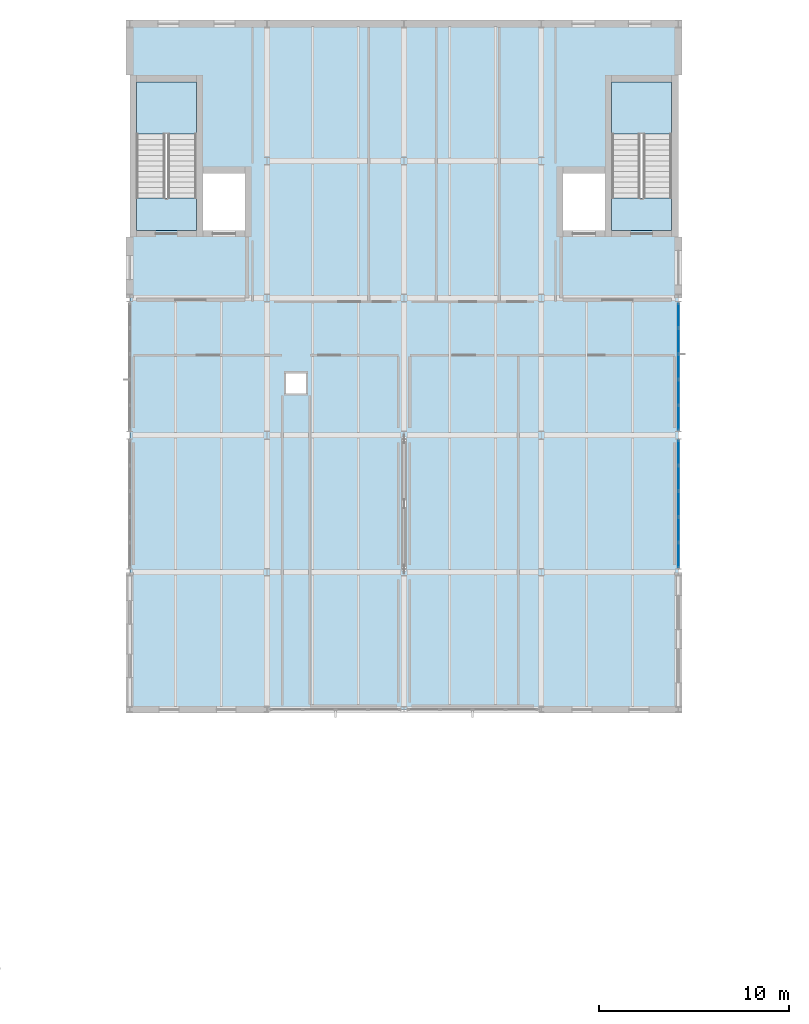
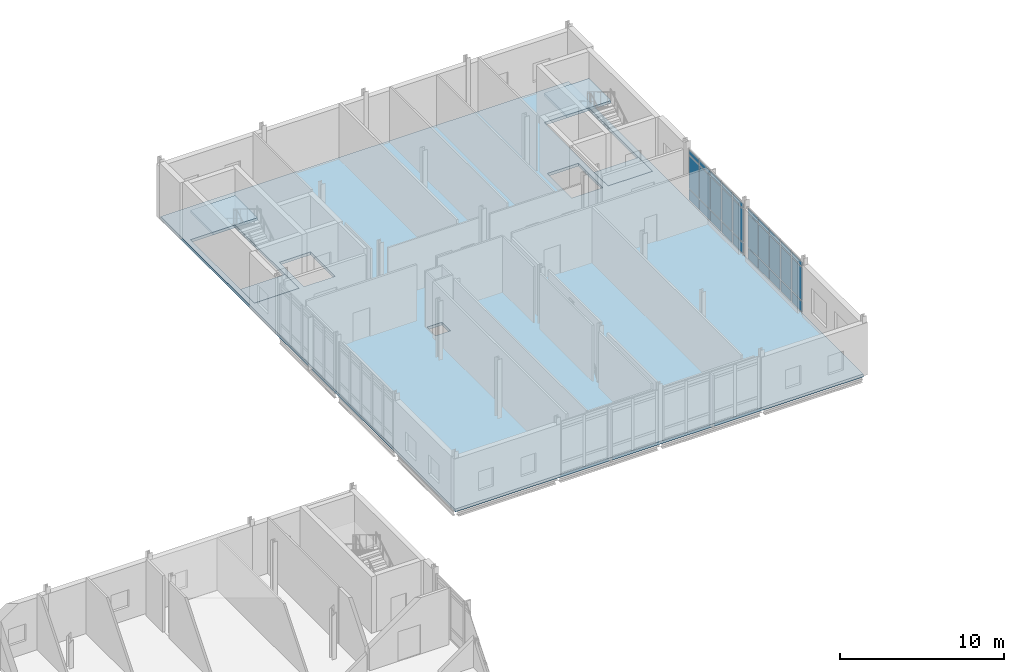
# One storey, part 40 of 72: 30 plates, 5 slabs, 4 elements without a shape of their own.
"""IFC4 building model written with IfcOpenShell, lengths in metres."""

import ifcopenshell
import ifcopenshell.guid

model = None  # the IFC model being written
_history = None  # IfcOwnerHistory: only IFC2X3 demands one
_inside = {}  # id of a spatial element -> (the spatial element, [elements in it])
_under = {}  # id of a project, library or spatial element -> (it, [spatial elements below it])
_declared = {}  # id of a project -> (the project, [libraries it declares])
_typed = {}  # id of a type object -> (the type object, [elements of that type])
_made_of = {}  # id of a material, layer set ... -> (it, [elements and type objects made of it])


def new_model(schema):
    """Start an empty IFC model of exactly this schema.

    Asked for "IFC4X3", IfcOpenShell would pick the latest addendum, in which some entities
    have other attributes; the version numbers below select the first issue.
    IFC2X3 requires an IfcOwnerHistory on every rooted entity: one is made here for all.
    """
    global model, _history
    if schema == "IFC4X3":
        model = ifcopenshell.file(schema_version=(4, 3, 0, 0))
    else:
        model = ifcopenshell.file(schema=schema)
    _inside.clear()
    _under.clear()
    _declared.clear()
    _typed.clear()
    _made_of.clear()
    _history = None
    if model.schema == "IFC2X3":
        org = make("IfcOrganization", Name="unknown")
        user = make(
            "IfcPersonAndOrganization",
            ThePerson=make("IfcPerson", FamilyName="unknown"),
            TheOrganization=org,
        )
        app = make(
            "IfcApplication",
            ApplicationDeveloper=org,
            Version="unknown",
            ApplicationFullName="unknown",
            ApplicationIdentifier="unknown",
        )
        _history = make(
            "IfcOwnerHistory",
            OwningUser=user,
            OwningApplication=app,
            ChangeAction="ADDED",
            CreationDate=0,
        )
    return model


def make(cls, **values):
    """One entity of the class cls with the attributes given. An attribute that is None is left unset."""
    return model.create_entity(
        cls, **{name: value for name, value in values.items() if value is not None}
    )


def rooted(cls, **values):
    """An entity with a GlobalId (a new one), such as an element, a storey or a relation."""
    return make(cls, GlobalId=ifcopenshell.guid.new(), OwnerHistory=_history, **values)


def si_unit(unit_type, name, prefix=None):
    """IfcSIUnit, for example si_unit("LENGTHUNIT", "METRE", prefix="MILLI")."""
    return make("IfcSIUnit", UnitType=unit_type, Prefix=prefix, Name=name)


def assignment(units):
    """IfcUnitAssignment: the units of a project."""
    return None if units is None else make("IfcUnitAssignment", Units=units)


def point(xyz):
    """IfcCartesianPoint."""
    return None if xyz is None else make("IfcCartesianPoint", Coordinates=xyz)


def direction(xyz):
    """IfcDirection."""
    return None if xyz is None else make("IfcDirection", DirectionRatios=xyz)


def frame(location, z_axis=None, x_axis=None):
    """IfcAxis2Placement3D, a coordinate frame: its origin and axes. An axis left out is left unset."""
    return make(
        "IfcAxis2Placement3D",
        Location=point(location),
        Axis=direction(z_axis),
        RefDirection=direction(x_axis),
    )


def frame_2d(location, x_axis=None):
    """IfcAxis2Placement2D, a coordinate frame in the plane: its origin and x axis."""
    return make(
        "IfcAxis2Placement2D", Location=point(location), RefDirection=direction(x_axis)
    )


def origin():
    """The frame at (0, 0, 0) with its axes left unset."""
    return frame((0.0, 0.0, 0.0))


def origin_2d():
    """The frame at (0, 0) in the plane with its x axis left unset."""
    return frame_2d((0.0, 0.0))


def place(relative_to, where):
    """IfcLocalPlacement: puts the frame where relative to a parent placement (None: the world)."""
    return make(
        "IfcLocalPlacement", PlacementRelTo=relative_to, RelativePlacement=where
    )


def context(
    kind, dimensions, precision=None, world=None, true_north=None, identifier=None
):
    """IfcGeometricRepresentationContext, for example the 3D "Model" context."""
    return make(
        "IfcGeometricRepresentationContext",
        ContextIdentifier=identifier,
        ContextType=kind,
        CoordinateSpaceDimension=dimensions,
        Precision=precision,
        WorldCoordinateSystem=world,
        TrueNorth=true_north,
    )


def subcontext(parent, identifier, kind, view, scale=None):
    """IfcGeometricRepresentationSubContext, for example "Body" below "Model"."""
    return make(
        "IfcGeometricRepresentationSubContext",
        ContextIdentifier=identifier,
        ContextType=kind,
        ParentContext=parent,
        TargetScale=scale,
        TargetView=view,
    )


def project(units=None, contexts=None):
    """IfcProject with its units and contexts."""
    return rooted(
        "IfcProject",
        Name="project",
        RepresentationContexts=contexts,
        UnitsInContext=assignment(units),
    )


def spatial(cls, under=None, at=None, **own):
    """A site, building, storey or space (cls), placed at a placement, below another one or the project."""
    s = rooted(cls, ObjectPlacement=at, **own)
    if under is not None:
        _under.setdefault(under.id(), (under, []))[1].append(s)
    return s


def polyline(points):
    """IfcPolyline through the points."""
    return make("IfcPolyline", Points=[point(p) for p in points])


def profile(cls, at=None, kind="AREA", **sizes):
    """A parametric profile (cls). Its sizes go by their IFC names, for example OverallWidth=200.0."""
    return make(cls, ProfileType=kind, Position=at, **sizes)


def rectangle(**sizes):
    """IfcRectangleProfileDef."""
    return profile("IfcRectangleProfileDef", **sizes)


def outline(outer, holes=None, kind="AREA"):
    """IfcArbitraryClosedProfileDef: a profile drawn as a closed curve; with holes, ...WithVoids."""
    if holes is None:
        return make("IfcArbitraryClosedProfileDef", ProfileType=kind, OuterCurve=outer)
    return make(
        "IfcArbitraryProfileDefWithVoids",
        ProfileType=kind,
        OuterCurve=outer,
        InnerCurves=holes,
    )


def extrude(swept, where, along, depth):
    """IfcExtrudedAreaSolid: the profile swept, set in the frame where, extruded along a direction by depth."""
    return make(
        "IfcExtrudedAreaSolid",
        SweptArea=swept,
        Position=where,
        ExtrudedDirection=direction(along),
        Depth=depth,
    )


def shape(context_of_items, identifier, shape_type, items):
    """IfcShapeRepresentation: the items that make up one representation, for example the "Body"."""
    return make(
        "IfcShapeRepresentation",
        ContextOfItems=context_of_items,
        RepresentationIdentifier=identifier,
        RepresentationType=shape_type,
        Items=items,
    )


def material(Name=None, Category=None):
    """IfcMaterial."""
    return make("IfcMaterial", Name=Name, Category=Category)


def layer(
    of_material, thickness, ventilated=None, Name=None, Category=None, Priority=None
):
    """IfcMaterialLayer: one layer of a wall or slab, of a material (None: an air gap)."""
    return make(
        "IfcMaterialLayer",
        Material=of_material,
        LayerThickness=thickness,
        IsVentilated=ventilated,
        Name=Name,
        Category=Category,
        Priority=Priority,
    )


def layer_set(layers, Name=None):
    """IfcMaterialLayerSet."""
    return make("IfcMaterialLayerSet", MaterialLayers=layers, LayerSetName=Name)


def made_of(thing, what):
    """Note that an element or type object is made of a material, layer set ...; save() writes the relation."""
    if what is not None:
        _made_of.setdefault(what.id(), (what, []))[1].append(thing)
    return thing


def type_object(cls, material=None, **own):
    """A type object (cls), such as IfcWallType, which elements share."""
    return made_of(rooted(cls, **own), material)


def element(
    cls,
    number,
    at=None,
    inside=None,
    cuts=None,
    type_object=None,
    material=None,
    context=None,
    identifier="Body",
    shape_type=None,
    held_by="IfcProductDefinitionShape",
    body=None,
    shapes=None,
    **own,
):
    """One element of the class cls, such as IfcWall. Its Tag is "e" and its number.

    at: its placement. inside: the storey or other place that contains it. cuts: it is an
    opening in that element (IfcRelVoidsElement). A single representation is given by context,
    identifier, shape_type and body (its items); several are given by shapes. held_by: the class
    of the entity that holds the representations. save() writes the other relations.
    """
    e = rooted(cls, Tag="e%d" % number, ObjectPlacement=at, **own)
    if body is not None:
        shapes = [shape(context, identifier, shape_type, body)]
    if shapes is not None:
        e.Representation = make(held_by, Representations=shapes)
    if inside is not None:
        _inside.setdefault(inside.id(), (inside, []))[1].append(e)
    if cuts is not None:
        rooted(
            "IfcRelVoidsElement", RelatingBuildingElement=cuts, RelatedOpeningElement=e
        )
    if type_object is not None:
        _typed.setdefault(type_object.id(), (type_object, []))[1].append(e)
    return made_of(e, material)


def aggregate(whole, parts):
    """IfcRelAggregates: a whole, such as a stair, and the parts it consists of."""
    return rooted("IfcRelAggregates", RelatingObject=whole, RelatedObjects=parts)


def save(model, path):
    """Write the relations noted so far, then the file.

    IfcRelAggregates (storeys below a building ...), IfcRelContainedInSpatialStructure (elements
    in a storey), IfcRelDefinesByType, IfcRelAssociatesMaterial and IfcRelDeclares: one each for
    every whole, place, type object, material and project.
    """
    for whole, parts in _under.values():
        aggregate(whole, parts)
    for where, things in _inside.values():
        rooted(
            "IfcRelContainedInSpatialStructure",
            RelatedElements=things,
            RelatingStructure=where,
        )
    for kind, things in _typed.values():
        rooted("IfcRelDefinesByType", RelatedObjects=things, RelatingType=kind)
    for what, things in _made_of.values():
        rooted("IfcRelAssociatesMaterial", RelatedObjects=things, RelatingMaterial=what)
    for by, libraries in _declared.values():
        rooted("IfcRelDeclares", RelatingContext=by, RelatedDefinitions=libraries)
    model.write(path)


model = new_model("IFC4")

# Units and contexts
model_context = context("Model", 3, precision=1e-05, world=origin(), true_north=direction((0.0, 1.0)))
body_context = subcontext(model_context, "Body", "Model", "MODEL_VIEW")
ifc_project = project(units=[si_unit("LENGTHUNIT", "METRE"), si_unit("AREAUNIT", "SQUARE_METRE"), si_unit("VOLUMEUNIT", "CUBIC_METRE"), si_unit("PLANEANGLEUNIT", "RADIAN"), si_unit("MASSUNIT", "GRAM", prefix="KILO")], contexts=[model_context])

# Site, building, storey
site_placement = place(None, origin())
site = spatial("IfcSite", under=ifc_project, at=site_placement, CompositionType="ELEMENT")
building_placement = place(site_placement, origin())
building = spatial("IfcBuilding", under=site, at=building_placement, Name="Zarrinpeak Specialist Clinic", CompositionType="ELEMENT")
storey_placement = place(building_placement, frame((0.0, 0.0, 9.60009765625)))
storey = spatial("IfcBuildingStorey", under=building, at=storey_placement, Name="L02", CompositionType="ELEMENT", Elevation=9.60009765625)

# Curtain wall, plates
ifc_material_1 = material(Name="Anodised Aluminium Alloy 6063-T6", Category="aluminium")
ifc_layer_1 = layer(ifc_material_1, 0.1650390625)
ifc_layer_set_1 = layer_set([ifc_layer_1], Name="Anodised Aluminium Alloy 6063-T6")
curtain_wall_type = type_object("IfcCurtainWallType", Name="CW-CLINIC", PredefinedType="NOTDEFINED", material=ifc_layer_set_1)
curtain_wall_1_placement = place(storey_placement, origin())
curtain_wall_1 = element("IfcCurtainWall", 1, at=curtain_wall_1_placement, inside=storey, type_object=curtain_wall_type, Name="L02 V6 Unitised Curtain Wall CW-L02-V6-145", PredefinedType="NOTDEFINED")
ifc_material_2 = material(Name="Double Low-E Insulated Glazing", Category="glass")
ifc_layer_2 = layer(ifc_material_2, 0.028076171875)
ifc_layer_set_2 = layer_set([ifc_layer_2], Name="Double Low-E Insulated Glazing")
plate_type = type_object("IfcPlateType", Name="CWP-GLZ28", PredefinedType="CURTAIN_PANEL", material=ifc_layer_set_2)
plate_1_placement = place(storey_placement, frame((64.800048828125, 90.100830078125, 0.074951171875), z_axis=(0.0, 0.0, 1.0), x_axis=(0.0, 1.0, 0.0)))
plate_1 = element("IfcPlate", 2, at=plate_1_placement, type_object=plate_type, Name="CW-03 panel 1.1", PredefinedType="CURTAIN_PANEL", context=body_context, shape_type="SweptSolid", body=[
    extrude(rectangle(XDim=1.241455078125, YDim=0.028076171875, at=origin_2d()), origin(), (0.0, 0.0, 1.0), 0.78759765625),
])
plate_2_placement = place(storey_placement, frame((64.800048828125, 90.100830078125, 0.9375), z_axis=(0.0, 0.0, 1.0), x_axis=(0.0, 1.0, 0.0)))
plate_2 = element("IfcPlate", 3, at=plate_2_placement, type_object=plate_type, Name="CW-03 panel 1.2", PredefinedType="CURTAIN_PANEL", context=body_context, shape_type="SweptSolid", body=[
    extrude(rectangle(XDim=1.241455078125, YDim=0.028076171875, at=origin_2d()), origin(), (0.0, 0.0, 1.0), 2.4599609375),
])
plate_3_placement = place(storey_placement, frame((64.800048828125, 90.100830078125, 3.472412109375), z_axis=(0.0, 0.0, 1.0), x_axis=(0.0, 1.0, 0.0)))
plate_3 = element("IfcPlate", 4, at=plate_3_placement, type_object=plate_type, Name="CW-03 panel 1.3", PredefinedType="CURTAIN_PANEL", context=body_context, shape_type="SweptSolid", body=[
    extrude(rectangle(XDim=1.241455078125, YDim=0.028076171875, at=origin_2d()), origin(), (0.0, 0.0, 1.0), 0.33740234375),
])
plate_4_placement = place(storey_placement, frame((64.800048828125, 91.43603515625, 0.074951171875), z_axis=(0.0, 0.0, 1.0), x_axis=(0.0, 1.0, 0.0)))
plate_4 = element("IfcPlate", 5, at=plate_4_placement, type_object=plate_type, Name="CW-03 panel 2.1", PredefinedType="CURTAIN_PANEL", context=body_context, shape_type="SweptSolid", body=[
    extrude(rectangle(XDim=1.279052734375, YDim=0.028076171875, at=origin_2d()), origin(), (0.0, 0.0, 1.0), 0.78759765625),
])
plate_5_placement = place(storey_placement, frame((64.800048828125, 91.43603515625, 0.9375), z_axis=(0.0, 0.0, 1.0), x_axis=(0.0, 1.0, 0.0)))
plate_5 = element("IfcPlate", 6, at=plate_5_placement, type_object=plate_type, Name="CW-03 panel 2.2", PredefinedType="CURTAIN_PANEL", context=body_context, shape_type="SweptSolid", body=[
    extrude(rectangle(XDim=1.279052734375, YDim=0.028076171875, at=origin_2d()), origin(), (0.0, 0.0, 1.0), 2.4599609375),
])
plate_6_placement = place(storey_placement, frame((64.800048828125, 91.43603515625, 3.472412109375), z_axis=(0.0, 0.0, 1.0), x_axis=(0.0, 1.0, 0.0)))
plate_6 = element("IfcPlate", 7, at=plate_6_placement, type_object=plate_type, Name="CW-03 panel 2.3", PredefinedType="CURTAIN_PANEL", context=body_context, shape_type="SweptSolid", body=[
    extrude(rectangle(XDim=1.279052734375, YDim=0.028076171875, at=origin_2d()), origin(), (0.0, 0.0, 1.0), 0.33740234375),
])
plate_7_placement = place(storey_placement, frame((64.800048828125, 92.7900390625, 0.074951171875), z_axis=(0.0, 0.0, 1.0), x_axis=(0.0, 1.0, 0.0)))
plate_7 = element("IfcPlate", 8, at=plate_7_placement, type_object=plate_type, Name="CW-03 panel 3.1", PredefinedType="CURTAIN_PANEL", context=body_context, shape_type="SweptSolid", body=[
    extrude(rectangle(XDim=1.279052734375, YDim=0.028076171875, at=origin_2d()), origin(), (0.0, 0.0, 1.0), 0.78759765625),
])
plate_8_placement = place(storey_placement, frame((64.800048828125, 92.7900390625, 0.9375), z_axis=(0.0, 0.0, 1.0), x_axis=(0.0, 1.0, 0.0)))
plate_8 = element("IfcPlate", 9, at=plate_8_placement, type_object=plate_type, Name="CW-03 panel 3.2", PredefinedType="CURTAIN_PANEL", context=body_context, shape_type="SweptSolid", body=[
    extrude(rectangle(XDim=1.279052734375, YDim=0.028076171875, at=origin_2d()), origin(), (0.0, 0.0, 1.0), 2.4599609375),
])
plate_9_placement = place(storey_placement, frame((64.800048828125, 92.7900390625, 3.472412109375), z_axis=(0.0, 0.0, 1.0), x_axis=(0.0, 1.0, 0.0)))
plate_9 = element("IfcPlate", 10, at=plate_9_placement, type_object=plate_type, Name="CW-03 panel 3.3", PredefinedType="CURTAIN_PANEL", context=body_context, shape_type="SweptSolid", body=[
    extrude(rectangle(XDim=1.279052734375, YDim=0.028076171875, at=origin_2d()), origin(), (0.0, 0.0, 1.0), 0.33740234375),
])
plate_10_placement = place(storey_placement, frame((64.800048828125, 94.14404296875, 0.074951171875), z_axis=(0.0, 0.0, 1.0), x_axis=(0.0, 1.0, 0.0)))
plate_10 = element("IfcPlate", 11, at=plate_10_placement, type_object=plate_type, Name="CW-03 panel 4.1", PredefinedType="CURTAIN_PANEL", context=body_context, shape_type="SweptSolid", body=[
    extrude(rectangle(XDim=1.279052734375, YDim=0.028076171875, at=origin_2d()), origin(), (0.0, 0.0, 1.0), 0.78759765625),
])
plate_11_placement = place(storey_placement, frame((64.800048828125, 94.14404296875, 0.9375), z_axis=(0.0, 0.0, 1.0), x_axis=(0.0, 1.0, 0.0)))
plate_11 = element("IfcPlate", 12, at=plate_11_placement, type_object=plate_type, Name="CW-03 panel 4.2", PredefinedType="CURTAIN_PANEL", context=body_context, shape_type="SweptSolid", body=[
    extrude(rectangle(XDim=1.279052734375, YDim=0.028076171875, at=origin_2d()), origin(), (0.0, 0.0, 1.0), 2.4599609375),
])
plate_12_placement = place(storey_placement, frame((64.800048828125, 94.14404296875, 3.472412109375), z_axis=(0.0, 0.0, 1.0), x_axis=(0.0, 1.0, 0.0)))
plate_12 = element("IfcPlate", 13, at=plate_12_placement, type_object=plate_type, Name="CW-03 panel 4.3", PredefinedType="CURTAIN_PANEL", context=body_context, shape_type="SweptSolid", body=[
    extrude(rectangle(XDim=1.279052734375, YDim=0.028076171875, at=origin_2d()), origin(), (0.0, 0.0, 1.0), 0.33740234375),
])
plate_13_placement = place(storey_placement, frame((64.800048828125, 95.479248046875, 0.074951171875), z_axis=(0.0, 0.0, 1.0), x_axis=(0.0, 1.0, 0.0)))
plate_13 = element("IfcPlate", 14, at=plate_13_placement, type_object=plate_type, Name="CW-03 panel 5.1", PredefinedType="CURTAIN_PANEL", context=body_context, shape_type="SweptSolid", body=[
    extrude(rectangle(XDim=1.241455078125, YDim=0.028076171875, at=origin_2d()), origin(), (0.0, 0.0, 1.0), 0.78759765625),
])
plate_14_placement = place(storey_placement, frame((64.800048828125, 95.479248046875, 0.9375), z_axis=(0.0, 0.0, 1.0), x_axis=(0.0, 1.0, 0.0)))
plate_14 = element("IfcPlate", 15, at=plate_14_placement, type_object=plate_type, Name="CW-03 panel 5.2", PredefinedType="CURTAIN_PANEL", context=body_context, shape_type="SweptSolid", body=[
    extrude(rectangle(XDim=1.241455078125, YDim=0.028076171875, at=origin_2d()), origin(), (0.0, 0.0, 1.0), 2.4599609375),
])
plate_15_placement = place(storey_placement, frame((64.800048828125, 95.479248046875, 3.472412109375), z_axis=(0.0, 0.0, 1.0), x_axis=(0.0, 1.0, 0.0)))
plate_15 = element("IfcPlate", 16, at=plate_15_placement, type_object=plate_type, Name="CW-03 panel 5.3", PredefinedType="CURTAIN_PANEL", context=body_context, shape_type="SweptSolid", body=[
    extrude(rectangle(XDim=1.241455078125, YDim=0.028076171875, at=origin_2d()), origin(), (0.0, 0.0, 1.0), 0.33740234375),
])
aggregate(curtain_wall_1, [plate_1, plate_2, plate_3, plate_4, plate_5, plate_6, plate_7, plate_8, plate_9, plate_10, plate_11, plate_12, plate_13, plate_14, plate_15])

curtain_wall_2_placement = place(storey_placement, origin())
curtain_wall_2 = element("IfcCurtainWall", 17, at=curtain_wall_2_placement, inside=storey, type_object=curtain_wall_type, Name="L02 V6 Unitised Curtain Wall CW-L02-V6-146", PredefinedType="NOTDEFINED")
plate_16_placement = place(storey_placement, frame((64.800048828125, 97.31884765625, 0.074951171875), z_axis=(0.0, 0.0, 1.0), x_axis=(0.0, 1.0, 0.0)))
plate_16 = element("IfcPlate", 18, at=plate_16_placement, type_object=plate_type, Name="CW-03 panel 1.1", PredefinedType="CURTAIN_PANEL", context=body_context, shape_type="SweptSolid", body=[
    extrude(rectangle(XDim=1.237548828125, YDim=0.028076171875, at=origin_2d()), origin(), (0.0, 0.0, 1.0), 0.78759765625),
])
plate_17_placement = place(storey_placement, frame((64.800048828125, 97.31884765625, 0.9375), z_axis=(0.0, 0.0, 1.0), x_axis=(0.0, 1.0, 0.0)))
plate_17 = element("IfcPlate", 19, at=plate_17_placement, type_object=plate_type, Name="CW-03 panel 1.2", PredefinedType="CURTAIN_PANEL", context=body_context, shape_type="SweptSolid", body=[
    extrude(rectangle(XDim=1.237548828125, YDim=0.028076171875, at=origin_2d()), origin(), (0.0, 0.0, 1.0), 2.4599609375),
])
plate_18_placement = place(storey_placement, frame((64.800048828125, 97.31884765625, 3.472412109375), z_axis=(0.0, 0.0, 1.0), x_axis=(0.0, 1.0, 0.0)))
plate_18 = element("IfcPlate", 20, at=plate_18_placement, type_object=plate_type, Name="CW-03 panel 1.3", PredefinedType="CURTAIN_PANEL", context=body_context, shape_type="SweptSolid", body=[
    extrude(rectangle(XDim=1.237548828125, YDim=0.028076171875, at=origin_2d()), origin(), (0.0, 0.0, 1.0), 0.33740234375),
])
plate_19_placement = place(storey_placement, frame((64.800048828125, 98.64990234375, 0.074951171875), z_axis=(0.0, 0.0, 1.0), x_axis=(0.0, 1.0, 0.0)))
plate_19 = element("IfcPlate", 21, at=plate_19_placement, type_object=plate_type, Name="CW-03 panel 2.1", PredefinedType="CURTAIN_PANEL", context=body_context, shape_type="SweptSolid", body=[
    extrude(rectangle(XDim=1.27490234375, YDim=0.028076171875, at=origin_2d()), origin(), (0.0, 0.0, 1.0), 0.78759765625),
])
plate_20_placement = place(storey_placement, frame((64.800048828125, 98.64990234375, 0.9375), z_axis=(0.0, 0.0, 1.0), x_axis=(0.0, 1.0, 0.0)))
plate_20 = element("IfcPlate", 22, at=plate_20_placement, type_object=plate_type, Name="CW-03 panel 2.2", PredefinedType="CURTAIN_PANEL", context=body_context, shape_type="SweptSolid", body=[
    extrude(rectangle(XDim=1.27490234375, YDim=0.028076171875, at=origin_2d()), origin(), (0.0, 0.0, 1.0), 2.4599609375),
])
plate_21_placement = place(storey_placement, frame((64.800048828125, 98.64990234375, 3.472412109375), z_axis=(0.0, 0.0, 1.0), x_axis=(0.0, 1.0, 0.0)))
plate_21 = element("IfcPlate", 23, at=plate_21_placement, type_object=plate_type, Name="CW-03 panel 2.3", PredefinedType="CURTAIN_PANEL", context=body_context, shape_type="SweptSolid", body=[
    extrude(rectangle(XDim=1.27490234375, YDim=0.028076171875, at=origin_2d()), origin(), (0.0, 0.0, 1.0), 0.33740234375),
])
plate_22_placement = place(storey_placement, frame((64.800048828125, 100.0, 0.074951171875), z_axis=(0.0, 0.0, 1.0), x_axis=(0.0, 1.0, 0.0)))
plate_22 = element("IfcPlate", 24, at=plate_22_placement, type_object=plate_type, Name="CW-03 panel 3.1", PredefinedType="CURTAIN_PANEL", context=body_context, shape_type="SweptSolid", body=[
    extrude(rectangle(XDim=1.27490234375, YDim=0.028076171875, at=origin_2d()), origin(), (0.0, 0.0, 1.0), 0.78759765625),
])
plate_23_placement = place(storey_placement, frame((64.800048828125, 100.0, 0.9375), z_axis=(0.0, 0.0, 1.0), x_axis=(0.0, 1.0, 0.0)))
plate_23 = element("IfcPlate", 25, at=plate_23_placement, type_object=plate_type, Name="CW-03 panel 3.2", PredefinedType="CURTAIN_PANEL", context=body_context, shape_type="SweptSolid", body=[
    extrude(rectangle(XDim=1.27490234375, YDim=0.028076171875, at=origin_2d()), origin(), (0.0, 0.0, 1.0), 2.4599609375),
])
plate_24_placement = place(storey_placement, frame((64.800048828125, 100.0, 3.472412109375), z_axis=(0.0, 0.0, 1.0), x_axis=(0.0, 1.0, 0.0)))
plate_24 = element("IfcPlate", 26, at=plate_24_placement, type_object=plate_type, Name="CW-03 panel 3.3", PredefinedType="CURTAIN_PANEL", context=body_context, shape_type="SweptSolid", body=[
    extrude(rectangle(XDim=1.27490234375, YDim=0.028076171875, at=origin_2d()), origin(), (0.0, 0.0, 1.0), 0.33740234375),
])
plate_25_placement = place(storey_placement, frame((64.800048828125, 101.35009765625, 0.074951171875), z_axis=(0.0, 0.0, 1.0), x_axis=(0.0, 1.0, 0.0)))
plate_25 = element("IfcPlate", 27, at=plate_25_placement, type_object=plate_type, Name="CW-03 panel 4.1", PredefinedType="CURTAIN_PANEL", context=body_context, shape_type="SweptSolid", body=[
    extrude(rectangle(XDim=1.27490234375, YDim=0.028076171875, at=origin_2d()), origin(), (0.0, 0.0, 1.0), 0.78759765625),
])
plate_26_placement = place(storey_placement, frame((64.800048828125, 101.35009765625, 0.9375), z_axis=(0.0, 0.0, 1.0), x_axis=(0.0, 1.0, 0.0)))
plate_26 = element("IfcPlate", 28, at=plate_26_placement, type_object=plate_type, Name="CW-03 panel 4.2", PredefinedType="CURTAIN_PANEL", context=body_context, shape_type="SweptSolid", body=[
    extrude(rectangle(XDim=1.27490234375, YDim=0.028076171875, at=origin_2d()), origin(), (0.0, 0.0, 1.0), 2.4599609375),
])
plate_27_placement = place(storey_placement, frame((64.800048828125, 101.35009765625, 3.472412109375), z_axis=(0.0, 0.0, 1.0), x_axis=(0.0, 1.0, 0.0)))
plate_27 = element("IfcPlate", 29, at=plate_27_placement, type_object=plate_type, Name="CW-03 panel 4.3", PredefinedType="CURTAIN_PANEL", context=body_context, shape_type="SweptSolid", body=[
    extrude(rectangle(XDim=1.27490234375, YDim=0.028076171875, at=origin_2d()), origin(), (0.0, 0.0, 1.0), 0.33740234375),
])
plate_28_placement = place(storey_placement, frame((64.800048828125, 102.68115234375, 0.074951171875), z_axis=(0.0, 0.0, 1.0), x_axis=(0.0, 1.0, 0.0)))
plate_28 = element("IfcPlate", 30, at=plate_28_placement, type_object=plate_type, Name="CW-03 panel 5.1", PredefinedType="CURTAIN_PANEL", context=body_context, shape_type="SweptSolid", body=[
    extrude(rectangle(XDim=1.237548828125, YDim=0.028076171875, at=origin_2d()), origin(), (0.0, 0.0, 1.0), 0.78759765625),
])
plate_29_placement = place(storey_placement, frame((64.800048828125, 102.68115234375, 0.9375), z_axis=(0.0, 0.0, 1.0), x_axis=(0.0, 1.0, 0.0)))
plate_29 = element("IfcPlate", 31, at=plate_29_placement, type_object=plate_type, Name="CW-03 panel 5.2", PredefinedType="CURTAIN_PANEL", context=body_context, shape_type="SweptSolid", body=[
    extrude(rectangle(XDim=1.237548828125, YDim=0.028076171875, at=origin_2d()), origin(), (0.0, 0.0, 1.0), 2.4599609375),
])
plate_30_placement = place(storey_placement, frame((64.800048828125, 102.68115234375, 3.472412109375), z_axis=(0.0, 0.0, 1.0), x_axis=(0.0, 1.0, 0.0)))
plate_30 = element("IfcPlate", 32, at=plate_30_placement, type_object=plate_type, Name="CW-03 panel 5.3", PredefinedType="CURTAIN_PANEL", context=body_context, shape_type="SweptSolid", body=[
    extrude(rectangle(XDim=1.237548828125, YDim=0.028076171875, at=origin_2d()), origin(), (0.0, 0.0, 1.0), 0.33740234375),
])
aggregate(curtain_wall_2, [plate_16, plate_17, plate_18, plate_19, plate_20, plate_21, plate_22, plate_23, plate_24, plate_25, plate_26, plate_27, plate_28, plate_29, plate_30])

# Slabs
ifc_material_3 = material(Name="Concrete C35/45", Category="concrete")
ifc_layer_3 = layer(ifc_material_3, 0.215087890625)
ifc_layer_set_3 = layer_set([ifc_layer_3], Name="Concrete C35/45")
slab_type_1 = type_object("IfcSlabType", Name="SL-FLR215", PredefinedType="FLOOR", material=ifc_layer_set_3)
slab_1_placement = place(storey_placement, frame((0.0, 0.0, -0.215087890625)))
element("IfcSlab", 33, at=slab_1_placement, inside=storey, type_object=slab_type_1, Name="L02 Suspended Clinical Floor Slab V6", PredefinedType="FLOOR", context=body_context, shape_type="SweptSolid", body=[
    extrude(outline(polyline([(36.0, 82.0), (64.800048828125, 82.0), (64.800048828125, 118.0), (36.0, 118.0), (36.0, 82.0)]), holes=[polyline([(36.35009765625, 107.14990234375), (39.5, 107.14990234375), (39.5, 114.949951171875), (36.35009765625, 114.949951171875), (36.35009765625, 107.14990234375)]), polyline([(39.85009765625, 107.14990234375), (42.050048828125, 107.14990234375), (42.050048828125, 110.14990234375), (39.85009765625, 110.14990234375), (39.85009765625, 107.14990234375)]), polyline([(61.300048828125, 107.14990234375), (64.449951171875, 107.14990234375), (64.449951171875, 114.949951171875), (61.300048828125, 114.949951171875), (61.300048828125, 107.14990234375)]), polyline([(58.75, 107.14990234375), (60.949951171875, 107.14990234375), (60.949951171875, 110.14990234375), (58.75, 110.14990234375), (58.75, 107.14990234375)]), polyline([(44.199951171875, 98.60009765625), (45.25, 98.60009765625), (45.25, 99.64990234375), (44.199951171875, 99.64990234375), (44.199951171875, 98.60009765625)])]), origin(), (0.0, 0.0, 1.0), 0.215087890625),
])
slab_2_placement = place(storey_placement, frame((0.0, 0.0, -0.215087890625)))
element("IfcSlab", 34, at=slab_2_placement, inside=storey, type_object=slab_type_1, Name="L02 Core C11 Stairwell Floor Landing Slab", PredefinedType="FLOOR", context=body_context, shape_type="SweptSolid", body=[
    extrude(outline(polyline([(36.35009765625, 107.14990234375), (39.5, 107.14990234375), (39.5, 108.85009765625), (36.35009765625, 108.85009765625), (36.35009765625, 107.14990234375)])), origin(), (0.0, 0.0, 1.0), 0.215087890625),
])
slab_3_placement = place(storey_placement, frame((0.0, 0.0, -0.215087890625)))
element("IfcSlab", 35, at=slab_3_placement, inside=storey, type_object=slab_type_1, Name="L02 Core C12 Stairwell Floor Landing Slab", PredefinedType="FLOOR", context=body_context, shape_type="SweptSolid", body=[
    extrude(outline(polyline([(61.300048828125, 107.14990234375), (64.449951171875, 107.14990234375), (64.449951171875, 108.85009765625), (61.300048828125, 108.85009765625), (61.300048828125, 107.14990234375)])), origin(), (0.0, 0.0, 1.0), 0.215087890625),
])

# Stair, slab
stair_type = type_object("IfcStairType", Name="ST-DOG", PredefinedType="HALF_TURN_STAIR", material=ifc_material_3)
stair_1_placement = place(storey_placement, origin())
stair_1 = element("IfcStair", 36, at=stair_1_placement, inside=storey, type_object=stair_type, Name="L02 Protected Exit Stair ST-11", PredefinedType="HALF_TURN_STAIR")
ifc_layer_4 = layer(ifc_material_3, 0.199951171875)
ifc_layer_set_4 = layer_set([ifc_layer_4], Name="Concrete C35/45")
slab_type_2 = type_object("IfcSlabType", Name="SL-LAND200", PredefinedType="LANDING", material=ifc_layer_set_4)
slab_4_placement = place(storey_placement, frame((0.0, 0.0, 2.0)))
slab_4 = element("IfcSlab", 37, at=slab_4_placement, type_object=slab_type_2, Name="ST-11 landing 1", PredefinedType="LANDING", context=body_context, shape_type="SweptSolid", body=[
    extrude(outline(polyline([(39.5, 112.2099609375), (39.5, 114.949951171875), (36.35009765625, 114.949951171875), (36.35009765625, 112.2099609375), (39.5, 112.2099609375)])), origin(), (0.0, 0.0, 1.0), 0.199951171875),
])
aggregate(stair_1, [slab_4])

stair_2_placement = place(storey_placement, origin())
stair_2 = element("IfcStair", 38, at=stair_2_placement, inside=storey, type_object=stair_type, Name="L02 Protected Exit Stair ST-12", PredefinedType="HALF_TURN_STAIR")
slab_5_placement = place(storey_placement, frame((0.0, 0.0, 2.0)))
slab_5 = element("IfcSlab", 39, at=slab_5_placement, type_object=slab_type_2, Name="ST-12 landing 1", PredefinedType="LANDING", context=body_context, shape_type="SweptSolid", body=[
    extrude(outline(polyline([(64.449951171875, 112.2099609375), (64.449951171875, 114.949951171875), (61.300048828125, 114.949951171875), (61.300048828125, 112.2099609375), (64.449951171875, 112.2099609375)])), origin(), (0.0, 0.0, 1.0), 0.199951171875),
])
aggregate(stair_2, [slab_5])

save(model, "model.ifc")
